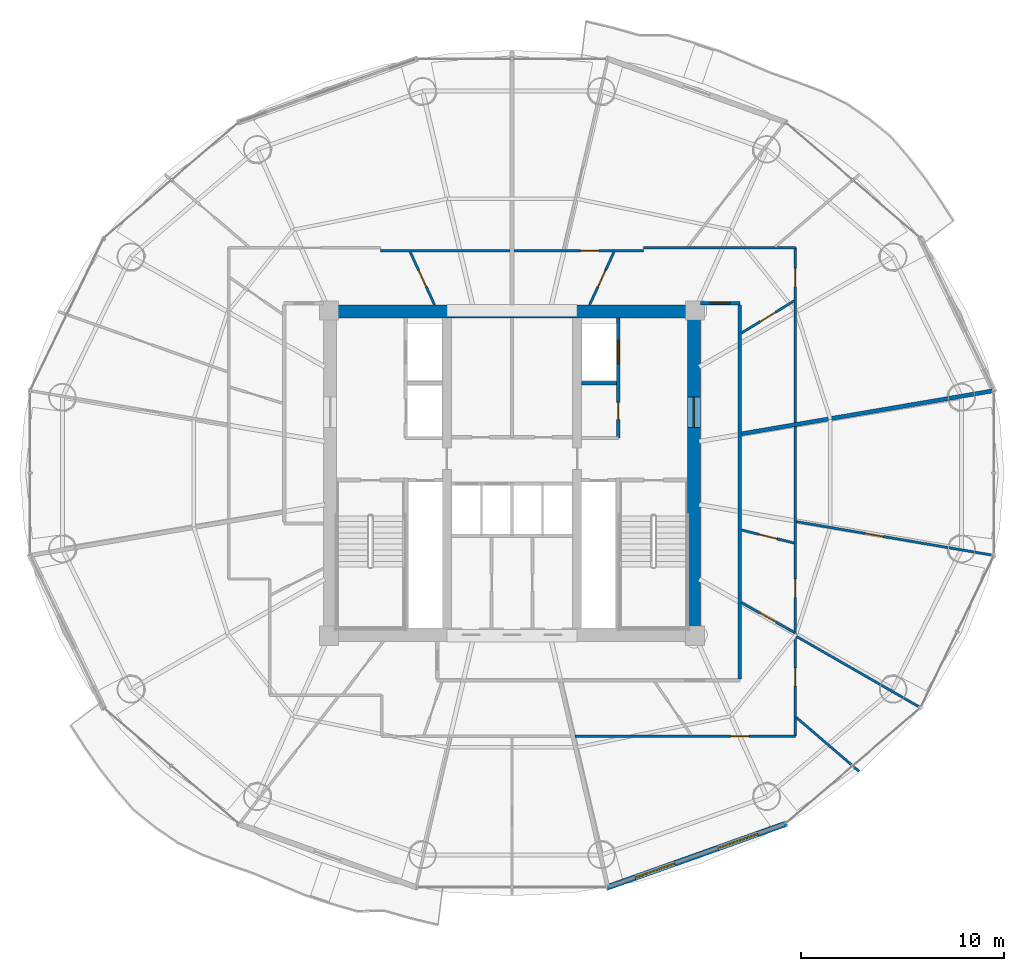
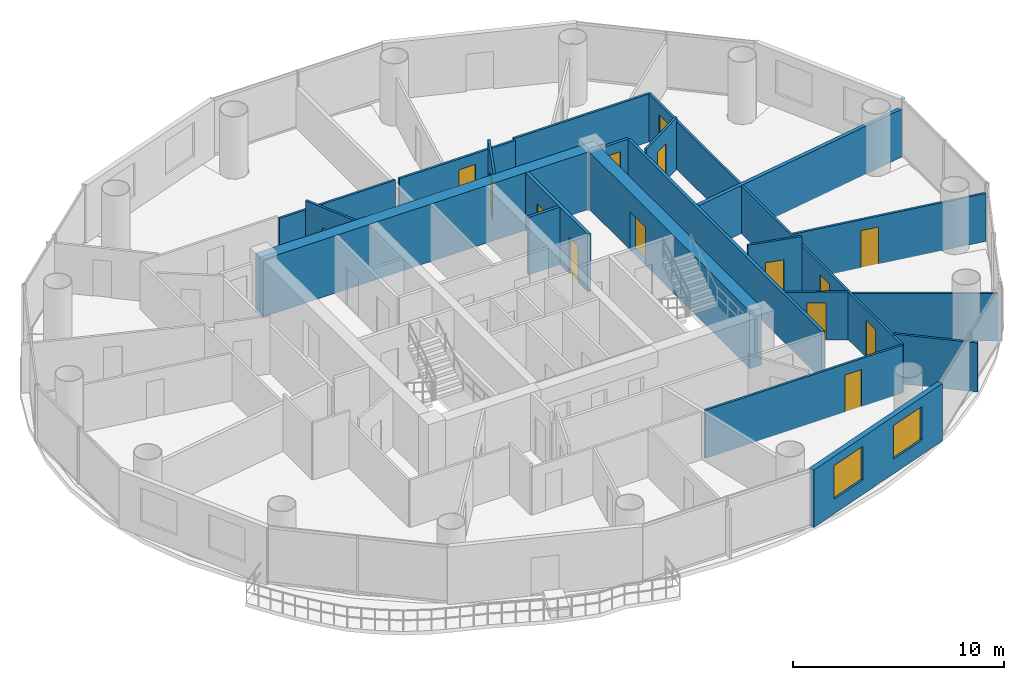
# One storey, part 22 of 26: 22 walls, 15 doors, 2 windows, 17 openings.
"""IFC4 building model written with IfcOpenShell, lengths in metres."""

import ifcopenshell
import ifcopenshell.guid

model = None  # the IFC model being written
_history = None  # IfcOwnerHistory: only IFC2X3 demands one
_inside = {}  # id of a spatial element -> (the spatial element, [elements in it])
_under = {}  # id of a project, library or spatial element -> (it, [spatial elements below it])
_declared = {}  # id of a project -> (the project, [libraries it declares])
_typed = {}  # id of a type object -> (the type object, [elements of that type])
_made_of = {}  # id of a material, layer set ... -> (it, [elements and type objects made of it])


def new_model(schema):
    """Start an empty IFC model of exactly this schema.

    Asked for "IFC4X3", IfcOpenShell would pick the latest addendum, in which some entities
    have other attributes; the version numbers below select the first issue.
    IFC2X3 requires an IfcOwnerHistory on every rooted entity: one is made here for all.
    """
    global model, _history
    if schema == "IFC4X3":
        model = ifcopenshell.file(schema_version=(4, 3, 0, 0))
    else:
        model = ifcopenshell.file(schema=schema)
    _inside.clear()
    _under.clear()
    _declared.clear()
    _typed.clear()
    _made_of.clear()
    _history = None
    if model.schema == "IFC2X3":
        org = make("IfcOrganization", Name="unknown")
        user = make(
            "IfcPersonAndOrganization",
            ThePerson=make("IfcPerson", FamilyName="unknown"),
            TheOrganization=org,
        )
        app = make(
            "IfcApplication",
            ApplicationDeveloper=org,
            Version="unknown",
            ApplicationFullName="unknown",
            ApplicationIdentifier="unknown",
        )
        _history = make(
            "IfcOwnerHistory",
            OwningUser=user,
            OwningApplication=app,
            ChangeAction="ADDED",
            CreationDate=0,
        )
    return model


def make(cls, **values):
    """One entity of the class cls with the attributes given. An attribute that is None is left unset."""
    return model.create_entity(
        cls, **{name: value for name, value in values.items() if value is not None}
    )


def rooted(cls, **values):
    """An entity with a GlobalId (a new one), such as an element, a storey or a relation."""
    return make(cls, GlobalId=ifcopenshell.guid.new(), OwnerHistory=_history, **values)


def si_unit(unit_type, name, prefix=None):
    """IfcSIUnit, for example si_unit("LENGTHUNIT", "METRE", prefix="MILLI")."""
    return make("IfcSIUnit", UnitType=unit_type, Prefix=prefix, Name=name)


def assignment(units):
    """IfcUnitAssignment: the units of a project."""
    return None if units is None else make("IfcUnitAssignment", Units=units)


def point(xyz):
    """IfcCartesianPoint."""
    return None if xyz is None else make("IfcCartesianPoint", Coordinates=xyz)


def direction(xyz):
    """IfcDirection."""
    return None if xyz is None else make("IfcDirection", DirectionRatios=xyz)


def frame(location, z_axis=None, x_axis=None):
    """IfcAxis2Placement3D, a coordinate frame: its origin and axes. An axis left out is left unset."""
    return make(
        "IfcAxis2Placement3D",
        Location=point(location),
        Axis=direction(z_axis),
        RefDirection=direction(x_axis),
    )


def frame_2d(location, x_axis=None):
    """IfcAxis2Placement2D, a coordinate frame in the plane: its origin and x axis."""
    return make(
        "IfcAxis2Placement2D", Location=point(location), RefDirection=direction(x_axis)
    )


def origin():
    """The frame at (0, 0, 0) with its axes left unset."""
    return frame((0.0, 0.0, 0.0))


def place(relative_to, where):
    """IfcLocalPlacement: puts the frame where relative to a parent placement (None: the world)."""
    return make(
        "IfcLocalPlacement", PlacementRelTo=relative_to, RelativePlacement=where
    )


def context(
    kind, dimensions, precision=None, world=None, true_north=None, identifier=None
):
    """IfcGeometricRepresentationContext, for example the 3D "Model" context."""
    return make(
        "IfcGeometricRepresentationContext",
        ContextIdentifier=identifier,
        ContextType=kind,
        CoordinateSpaceDimension=dimensions,
        Precision=precision,
        WorldCoordinateSystem=world,
        TrueNorth=true_north,
    )


def subcontext(parent, identifier, kind, view, scale=None):
    """IfcGeometricRepresentationSubContext, for example "Body" below "Model"."""
    return make(
        "IfcGeometricRepresentationSubContext",
        ContextIdentifier=identifier,
        ContextType=kind,
        ParentContext=parent,
        TargetScale=scale,
        TargetView=view,
    )


def project(units=None, contexts=None):
    """IfcProject with its units and contexts."""
    return rooted(
        "IfcProject",
        Name="project",
        RepresentationContexts=contexts,
        UnitsInContext=assignment(units),
    )


def spatial(cls, under=None, at=None, **own):
    """A site, building, storey or space (cls), placed at a placement, below another one or the project."""
    s = rooted(cls, ObjectPlacement=at, **own)
    if under is not None:
        _under.setdefault(under.id(), (under, []))[1].append(s)
    return s


def profile(cls, at=None, kind="AREA", **sizes):
    """A parametric profile (cls). Its sizes go by their IFC names, for example OverallWidth=200.0."""
    return make(cls, ProfileType=kind, Position=at, **sizes)


def rectangle(**sizes):
    """IfcRectangleProfileDef."""
    return profile("IfcRectangleProfileDef", **sizes)


def extrude(swept, where, along, depth):
    """IfcExtrudedAreaSolid: the profile swept, set in the frame where, extruded along a direction by depth."""
    return make(
        "IfcExtrudedAreaSolid",
        SweptArea=swept,
        Position=where,
        ExtrudedDirection=direction(along),
        Depth=depth,
    )


def shape(context_of_items, identifier, shape_type, items):
    """IfcShapeRepresentation: the items that make up one representation, for example the "Body"."""
    return make(
        "IfcShapeRepresentation",
        ContextOfItems=context_of_items,
        RepresentationIdentifier=identifier,
        RepresentationType=shape_type,
        Items=items,
    )


def source(mapping_origin, context_of_items, identifier, shape_type, items):
    """IfcRepresentationMap: a shape defined once, which mapped items show again and again."""
    return make(
        "IfcRepresentationMap",
        MappingOrigin=mapping_origin,
        MappedRepresentation=shape(context_of_items, identifier, shape_type, items),
    )


def transform(
    local_origin,
    x_axis=None,
    y_axis=None,
    z_axis=None,
    scale=None,
    scale2=None,
    scale3=None,
    uniform=True,
):
    """IfcCartesianTransformationOperator3D, or its non-uniform kind. x_axis, y_axis, z_axis: its Axis1, 2, 3."""
    if uniform:
        return make(
            "IfcCartesianTransformationOperator3D",
            Axis1=direction(x_axis),
            Axis2=direction(y_axis),
            LocalOrigin=point(local_origin),
            Scale=scale,
            Axis3=direction(z_axis),
        )
    return make(
        "IfcCartesianTransformationOperator3DnonUniform",
        Axis1=direction(x_axis),
        Axis2=direction(y_axis),
        LocalOrigin=point(local_origin),
        Scale=scale,
        Axis3=direction(z_axis),
        Scale2=scale2,
        Scale3=scale3,
    )


def mapped(mapping_source, mapping_target):
    """IfcMappedItem: shows the shape of a source again, moved by a transform."""
    return make(
        "IfcMappedItem", MappingSource=mapping_source, MappingTarget=mapping_target
    )


def material(Name=None, Category=None):
    """IfcMaterial."""
    return make("IfcMaterial", Name=Name, Category=Category)


def layer(
    of_material, thickness, ventilated=None, Name=None, Category=None, Priority=None
):
    """IfcMaterialLayer: one layer of a wall or slab, of a material (None: an air gap)."""
    return make(
        "IfcMaterialLayer",
        Material=of_material,
        LayerThickness=thickness,
        IsVentilated=ventilated,
        Name=Name,
        Category=Category,
        Priority=Priority,
    )


def layer_set(layers, Name=None):
    """IfcMaterialLayerSet."""
    return make("IfcMaterialLayerSet", MaterialLayers=layers, LayerSetName=Name)


def made_of(thing, what):
    """Note that an element or type object is made of a material, layer set ...; save() writes the relation."""
    if what is not None:
        _made_of.setdefault(what.id(), (what, []))[1].append(thing)
    return thing


def type_object(cls, material=None, **own):
    """A type object (cls), such as IfcWallType, which elements share."""
    return made_of(rooted(cls, **own), material)


def element(
    cls,
    number,
    at=None,
    inside=None,
    cuts=None,
    type_object=None,
    material=None,
    context=None,
    identifier="Body",
    shape_type=None,
    held_by="IfcProductDefinitionShape",
    body=None,
    shapes=None,
    **own,
):
    """One element of the class cls, such as IfcWall. Its Tag is "e" and its number.

    at: its placement. inside: the storey or other place that contains it. cuts: it is an
    opening in that element (IfcRelVoidsElement). A single representation is given by context,
    identifier, shape_type and body (its items); several are given by shapes. held_by: the class
    of the entity that holds the representations. save() writes the other relations.
    """
    e = rooted(cls, Tag="e%d" % number, ObjectPlacement=at, **own)
    if body is not None:
        shapes = [shape(context, identifier, shape_type, body)]
    if shapes is not None:
        e.Representation = make(held_by, Representations=shapes)
    if inside is not None:
        _inside.setdefault(inside.id(), (inside, []))[1].append(e)
    if cuts is not None:
        rooted(
            "IfcRelVoidsElement", RelatingBuildingElement=cuts, RelatedOpeningElement=e
        )
    if type_object is not None:
        _typed.setdefault(type_object.id(), (type_object, []))[1].append(e)
    return made_of(e, material)


def fill(opening, filler):
    """IfcRelFillsElement: the door or window that sits in an opening."""
    return rooted(
        "IfcRelFillsElement",
        RelatingOpeningElement=opening,
        RelatedBuildingElement=filler,
    )


def aggregate(whole, parts):
    """IfcRelAggregates: a whole, such as a stair, and the parts it consists of."""
    return rooted("IfcRelAggregates", RelatingObject=whole, RelatedObjects=parts)


def save(model, path):
    """Write the relations noted so far, then the file.

    IfcRelAggregates (storeys below a building ...), IfcRelContainedInSpatialStructure (elements
    in a storey), IfcRelDefinesByType, IfcRelAssociatesMaterial and IfcRelDeclares: one each for
    every whole, place, type object, material and project.
    """
    for whole, parts in _under.values():
        aggregate(whole, parts)
    for where, things in _inside.values():
        rooted(
            "IfcRelContainedInSpatialStructure",
            RelatedElements=things,
            RelatingStructure=where,
        )
    for kind, things in _typed.values():
        rooted("IfcRelDefinesByType", RelatedObjects=things, RelatingType=kind)
    for what, things in _made_of.values():
        rooted("IfcRelAssociatesMaterial", RelatedObjects=things, RelatingMaterial=what)
    for by, libraries in _declared.values():
        rooted("IfcRelDeclares", RelatingContext=by, RelatedDefinitions=libraries)
    model.write(path)


model = new_model("IFC4")

# Units and contexts
model_context = context("Model", 3, precision=1e-05, world=origin(), true_north=direction((-0.2419218956, 0.970295726276)))
body_context = subcontext(model_context, "Body", "Model", "MODEL_VIEW")
ifc_project = project(units=[si_unit("LENGTHUNIT", "METRE"), si_unit("AREAUNIT", "SQUARE_METRE"), si_unit("VOLUMEUNIT", "CUBIC_METRE"), si_unit("PLANEANGLEUNIT", "RADIAN"), si_unit("MASSUNIT", "GRAM", prefix="KILO")], contexts=[model_context])

# Site, building, storey
site_placement = place(None, origin())
site = spatial("IfcSite", under=ifc_project, at=site_placement, CompositionType="ELEMENT")
building_placement = place(site_placement, origin())
building = spatial("IfcBuilding", under=site, at=building_placement, Name="Cobrevalo Terracotta Tower", CompositionType="ELEMENT")
storey_placement = place(building_placement, frame((0.0, 0.0, 135.39990234375)))
storey = spatial("IfcBuildingStorey", under=building, at=storey_placement, Name="L35", CompositionType="ELEMENT", Elevation=135.39990234375)

# Wall
ifc_material_1 = material(Name="Concrete C55", Category="concrete")
ifc_layer_1 = layer(ifc_material_1, 0.64990234375)
ifc_layer_set_1 = layer_set([ifc_layer_1], Name="Concrete C55")
wall_type_1 = type_object("IfcWallType", Name="Core shear wall 650 mm Concrete C55", PredefinedType="SHEAR", material=ifc_layer_set_1)
wall_1_placement = place(storey_placement, frame((28.72509765625, 34.75, 0.0), z_axis=(0.0, 0.0, 1.0), x_axis=(1.0, 0.0, 0.0)))
element("IfcWall", 1, at=wall_1_placement, inside=storey, type_object=wall_type_1, Name="L35 north core shear wall", PredefinedType="SHEAR", context=body_context, shape_type="SweptSolid", body=[
    extrude(rectangle(XDim=18.5498046875, YDim=0.64990234375, at=frame_2d((9.27490234375, 0.0))), origin(), (0.0, 0.0, 1.0), 3.330078125),
])

# Wall, opening, door
wall_2_placement = place(storey_placement, frame((46.949951171875, 19.175048828125, 0.0), z_axis=(0.0, 0.0, 1.0), x_axis=(0.0, 1.0, 0.0)))
wall_2 = element("IfcWall", 2, at=wall_2_placement, inside=storey, type_object=wall_type_1, Name="L35 east core shear wall", PredefinedType="SHEAR", context=body_context, shape_type="SweptSolid", body=[
    extrude(rectangle(XDim=15.25, YDim=0.64990234375, at=frame_2d((7.625, 0.0))), origin(), (0.0, 0.0, 1.0), 3.330078125),
])
opening_1_placement = place(wall_2_placement, frame((9.875, 0.0, 0.0)))
opening_1 = element("IfcOpeningElement", 3, at=opening_1_placement, cuts=wall_2, Name="Opening ID-14", PredefinedType="OPENING", context=body_context, shape_type="SweptSolid", body=[
    extrude(rectangle(XDim=1.5, YDim=2.199951171875, at=frame_2d((0.75, 1.10009765625))), frame((0.0, 0.3349609375, 0.0), z_axis=(0.0, -1.0, 0.0), x_axis=(1.0, 0.0, 0.0)), (0.0, 0.0, 1.0), 0.669921875),
])
ifc_material_2 = material(Name="Galvanized fire-rated steel", Category="steel")
door_type_1 = type_object("IfcDoorType", Name="Core cross-lobby double fire door 1500x2200 EI 90", OperationType="NOTDEFINED", PredefinedType="DOOR", material=ifc_material_2)
shared_shape_1 = source(origin(), body_context, "Body", "SweptSolid", [
    extrude(rectangle(XDim=1.5, YDim=2.199951171875, at=frame_2d((0.75, 1.10009765625))), frame((0.0, 0.02490234375, 0.0), z_axis=(0.0, -1.0, 0.0), x_axis=(1.0, 0.0, 0.0)), (0.0, 0.0, 1.0), 0.050048828125),
])
door_1_placement = place(opening_1_placement, frame((1.5, 0.0, 0.0), z_axis=(0.0, 0.0, 1.0), x_axis=(-1.0, 0.0, 0.0)))
door_1 = element("IfcDoor", 4, at=door_1_placement, inside=storey, type_object=door_type_1, Name="L35 east firefighting lobby entrance door", OperationType="DOUBLE_DOOR_SINGLE_SWING", OverallHeight=2.199951171875, OverallWidth=1.5, PredefinedType="DOOR", context=body_context, shape_type="MappedRepresentation", body=[
    mapped(shared_shape_1, transform((0.0, 0.0, 0.0), scale=1.0)),
])
fill(opening_1, door_1)

# Walls
ifc_material_3 = material(Name="Gypsum board on steel stud", Category="steel")
ifc_layer_2 = layer(ifc_material_3, 0.159912109375)
ifc_layer_set_2 = layer_set([ifc_layer_2], Name="Gypsum board on steel stud")
wall_type_2 = type_object("IfcWallType", Name="Fire-rated corridor acoustic partition wall 160 mm", PredefinedType="PARTITIONING", material=ifc_layer_set_2)
wall_3_placement = place(storey_placement, frame((41.425048828125, 31.219970703125, 0.0), z_axis=(0.0, 0.0, 1.0), x_axis=(1.0, 0.0, 0.0)))
element("IfcWall", 5, at=wall_3_placement, inside=storey, type_object=wall_type_2, Name="L35 interior partition IW-L35-FF2-M", PredefinedType="PARTITIONING", context=body_context, shape_type="SweptSolid", body=[
    extrude(rectangle(XDim=1.71484375, YDim=0.159912109375, at=frame_2d((0.857421875, 0.0))), origin(), (0.0, 0.0, 1.0), 3.330078125),
])
wall_4_placement = place(storey_placement, frame((49.205078125, 16.675048828125, 0.0), z_axis=(0.0, 0.0, 1.0), x_axis=(0.0, 1.0, 0.0)))
element("IfcWall", 6, at=wall_4_placement, inside=storey, type_object=wall_type_2, Name="L35 interior partition IW-L35-COR-E", PredefinedType="PARTITIONING", context=body_context, shape_type="SweptSolid", body=[
    extrude(rectangle(XDim=18.39990234375, YDim=0.159912109375, at=frame_2d((9.199951171875, 0.0))), origin(), (0.0, 0.0, 1.0), 2.776123046875),
])

# Wall, opening, door
wall_5_placement = place(storey_placement, frame((47.27490234375, 35.155029296875, 0.0), z_axis=(0.0, 0.0, 1.0), x_axis=(1.0, 0.0, 0.0)))
wall_5 = element("IfcWall", 7, at=wall_5_placement, inside=storey, type_object=wall_type_2, Name="L35 interior partition IW-L35-COR-EN-CAP", PredefinedType="PARTITIONING", context=body_context, shape_type="SweptSolid", body=[
    extrude(rectangle(XDim=1.93017578125, YDim=0.159912109375, at=frame_2d((0.965087890625, 0.0))), origin(), (0.0, 0.0, 1.0), 2.776123046875),
])
opening_2_placement = place(wall_5_placement, frame((0.47509765625, 0.0, 0.0)))
opening_2 = element("IfcOpeningElement", 8, at=opening_2_placement, cuts=wall_5, Name="Opening ID-05", PredefinedType="OPENING", context=body_context, shape_type="SweptSolid", body=[
    extrude(rectangle(XDim=0.97998046875, YDim=2.199951171875, at=frame_2d((0.489990234375, 1.10009765625))), frame((0.0, 0.08984375, 0.0), z_axis=(0.0, -1.0, 0.0), x_axis=(1.0, 0.0, 0.0)), (0.0, 0.0, 1.0), 0.179931640625),
])
ifc_material_4 = material(Name="Solid hardwood timber", Category="wood")
door_type_2 = type_object("IfcDoorType", Name="Residence entrance fire-rated acoustic timber door 980x2200 EI 60", OperationType="NOTDEFINED", PredefinedType="DOOR", material=ifc_material_4)
shared_shape_2 = source(origin(), body_context, "Body", "SweptSolid", [
    extrude(rectangle(XDim=0.97998046875, YDim=2.199951171875, at=frame_2d((0.489990234375, 1.10009765625))), frame((0.0, 0.02490234375, 0.0), z_axis=(0.0, -1.0, 0.0), x_axis=(1.0, 0.0, 0.0)), (0.0, 0.0, 1.0), 0.050048828125),
])
door_2_placement = place(opening_2_placement, origin())
door_2 = element("IfcDoor", 9, at=door_2_placement, inside=storey, type_object=door_type_2, Name="Flat L35A fire-rated apartment entrance door", OperationType="SINGLE_SWING_LEFT", OverallHeight=2.199951171875, OverallWidth=0.97998046875, PredefinedType="DOOR", context=body_context, shape_type="MappedRepresentation", body=[
    mapped(shared_shape_2, transform((0.0, 0.0, 0.0), scale=1.0)),
])
fill(opening_2, door_2)

# Wall, openings, doors
ifc_layer_3 = layer(ifc_material_3, 0.179931640625)
ifc_layer_set_3 = layer_set([ifc_layer_3], Name="Gypsum board on steel stud")
wall_type_3 = type_object("IfcWallType", Name="Fire-rated shaft & lobby acoustic partition wall 180 mm", PredefinedType="PARTITIONING", material=ifc_layer_set_3)
wall_6_placement = place(storey_placement, frame((43.22998046875, 28.52001953125, 0.0), z_axis=(0.0, 0.0, 1.0), x_axis=(0.0, 1.0, 0.0)))
wall_6 = element("IfcWall", 10, at=wall_6_placement, inside=storey, type_object=wall_type_3, Name="L35 interior partition IW-L35-FF2-E", PredefinedType="PARTITIONING", context=body_context, shape_type="SweptSolid", body=[
    extrude(rectangle(XDim=5.905029296875, YDim=0.179931640625, at=frame_2d((2.95263671875, 0.0))), origin(), (0.0, 0.0, 1.0), 3.330078125),
])
opening_3_placement = place(wall_6_placement, frame((0.905029296875, 0.0, 0.0)))
opening_3 = element("IfcOpeningElement", 11, at=opening_3_placement, cuts=wall_6, Name="Opening ID-22", PredefinedType="OPENING", context=body_context, shape_type="SweptSolid", body=[
    extrude(rectangle(XDim=0.85009765625, YDim=2.10009765625, at=frame_2d((0.425048828125, 1.050048828125))), frame((0.0, 0.10009765625, 0.0), z_axis=(0.0, -1.0, 0.0), x_axis=(1.0, 0.0, 0.0)), (0.0, 0.0, 1.0), 0.199951171875),
])
opening_4_placement = place(wall_6_placement, frame((3.655029296875, 0.0, 0.0)))
opening_4 = element("IfcOpeningElement", 12, at=opening_4_placement, cuts=wall_6, Name="Opening LD-02", PredefinedType="OPENING", context=body_context, shape_type="SweptSolid", body=[
    extrude(rectangle(XDim=1.14990234375, YDim=2.199951171875, at=frame_2d((0.574951171875, 1.10009765625))), frame((0.0, 0.10009765625, 0.0), z_axis=(0.0, -1.0, 0.0), x_axis=(1.0, 0.0, 0.0)), (0.0, 0.0, 1.0), 0.199951171875),
])
ifc_material_5 = material(Name="Powder-coated steel", Category="steel")
door_type_3 = type_object("IfcDoorType", Name="Riser shaft & meter closet fire access door 850x2100 EI 60", OperationType="NOTDEFINED", PredefinedType="DOOR", material=ifc_material_5)
shared_shape_3 = source(origin(), body_context, "Body", "SweptSolid", [
    extrude(rectangle(XDim=0.85009765625, YDim=2.10009765625, at=frame_2d((0.425048828125, 1.050048828125))), frame((0.0, 0.02490234375, 0.0), z_axis=(0.0, -1.0, 0.0), x_axis=(1.0, 0.0, 0.0)), (0.0, 0.0, 1.0), 0.050048828125),
])
door_3_placement = place(opening_3_placement, frame((0.85009765625, 0.0, 0.0), z_axis=(0.0, 0.0, 1.0), x_axis=(-1.0, 0.0, 0.0)))
door_3 = element("IfcDoor", 13, at=door_3_placement, inside=storey, type_object=door_type_3, Name="L35 housekeeping store door", OperationType="SINGLE_SWING_RIGHT", OverallHeight=2.10009765625, OverallWidth=0.85009765625, PredefinedType="DOOR", context=body_context, shape_type="MappedRepresentation", body=[
    mapped(shared_shape_3, transform((0.0, 0.0, 0.0), scale=1.0)),
])
fill(opening_3, door_3)
ifc_material_6 = material(Name="Brushed stainless steel", Category="steel")
door_type_4 = type_object("IfcDoorType", Name="Firefighting lift landing bi-parting sliding door 1150x2200 EI 120", OperationType="DOUBLE_DOOR_SLIDING", PredefinedType="DOOR", material=ifc_material_6)
shared_shape_4 = source(origin(), body_context, "Body", "SweptSolid", [
    extrude(rectangle(XDim=1.14990234375, YDim=2.199951171875, at=frame_2d((0.574951171875, 1.10009765625))), frame((0.0, 0.02490234375, 0.0), z_axis=(0.0, -1.0, 0.0), x_axis=(1.0, 0.0, 0.0)), (0.0, 0.0, 1.0), 0.050048828125),
])
door_4_placement = place(opening_4_placement, origin())
door_4 = element("IfcDoor", 14, at=door_4_placement, inside=storey, type_object=door_type_4, Name="L35 lift landing door FF-2", OperationType="DOUBLE_DOOR_SLIDING", OverallHeight=2.199951171875, OverallWidth=1.14990234375, PredefinedType="DOOR", context=body_context, shape_type="MappedRepresentation", body=[
    mapped(shared_shape_4, transform((0.0, 0.0, 0.0), scale=1.0)),
])
fill(opening_4, door_4)

# Wall
ifc_material_7 = material(Name="Autoclaved aerated concrete block", Category="concrete")
ifc_layer_4 = layer(ifc_material_7, 0.199951171875)
ifc_layer_set_4 = layer_set([ifc_layer_4], Name="Autoclaved aerated concrete block")
wall_type_4 = type_object("IfcWallType", Name="Fire-rated stair, shaft & demising masonry wall 200 mm", PredefinedType="PARTITIONING", material=ifc_layer_set_4)
wall_7_placement = place(storey_placement, frame((49.286865234375, 28.729736328125, 0.0), z_axis=(0.0, 0.0, 1.0), x_axis=(0.985698993845, 0.168515558725, 0.0)))
element("IfcWall", 15, at=wall_7_placement, inside=storey, type_object=wall_type_4, Name="L35 interior partition IW-L35-DEM-1", PredefinedType="PARTITIONING", context=body_context, shape_type="SweptSolid", body=[
    extrude(rectangle(XDim=12.517333984375, YDim=0.199951171875, at=frame_2d((6.2587890625, 0.0))), origin(), (0.0, 0.0, 1.0), 2.776123046875),
])

# Wall, openings, windows
ifc_layer_5 = layer(ifc_material_7, 0.280029296875)
ifc_layer_set_5 = layer_set([ifc_layer_5], Name="Autoclaved aerated concrete block")
wall_type_5 = type_object("IfcWallType", Name="Insulated tower spandrel & pier wall 280 mm with terracotta rainscreen", PredefinedType="SOLIDWALL", material=ifc_layer_set_5)
wall_8_placement = place(storey_placement, frame((42.639892578125, 6.40234375, 0.0), z_axis=(0.0, 0.0, 1.0), x_axis=(0.942103604331, 0.335321932934, 0.0)))
wall_8 = element("IfcWall", 16, at=wall_8_placement, inside=storey, type_object=wall_type_5, Name="L35 terracotta rainscreen pier wall S13", PredefinedType="SOLIDWALL", context=body_context, shape_type="SweptSolid", body=[
    extrude(rectangle(XDim=9.408203125, YDim=0.280029296875, at=frame_2d((4.7041015625, 0.0))), origin(), (0.0, 0.0, 1.0), 3.330078125),
])
opening_5_placement = place(wall_8_placement, frame((1.490234375, 0.0, 0.85009765625)))
opening_5 = element("IfcOpeningElement", 17, at=opening_5_placement, cuts=wall_8, Name="Opening WN-10", PredefinedType="OPENING", context=body_context, shape_type="SweptSolid", body=[
    extrude(rectangle(XDim=2.10009765625, YDim=1.949951171875, at=frame_2d((1.050048828125, 0.97509765625))), frame((0.0, 0.14990234375, 0.0), z_axis=(0.0, -1.0, 0.0), x_axis=(1.0, 0.0, 0.0)), (0.0, 0.0, 1.0), 0.300048828125),
])
opening_6_placement = place(wall_8_placement, frame((5.818115234375, 0.0, 0.85009765625)))
opening_6 = element("IfcOpeningElement", 18, at=opening_6_placement, cuts=wall_8, Name="Opening WN-10", PredefinedType="OPENING", context=body_context, shape_type="SweptSolid", body=[
    extrude(rectangle(XDim=2.10009765625, YDim=1.949951171875, at=frame_2d((1.050048828125, 0.97509765625))), frame((0.0, 0.14990234375, 0.0), z_axis=(0.0, -1.0, 0.0), x_axis=(1.0, 0.0, 0.0)), (0.0, 0.0, 1.0), 0.300048828125),
])
ifc_material_8 = material(Name="Solar-control low-E double glazing", Category="glass")
window_type = type_object("IfcWindowType", Name="Wide panoramic low-E aluminium window 2100x1950", PartitioningType="SINGLE_PANEL", PredefinedType="WINDOW", material=ifc_material_8)
shared_shape_5 = source(origin(), body_context, "Body", "SweptSolid", [
    extrude(rectangle(XDim=2.10009765625, YDim=1.949951171875, at=frame_2d((1.050048828125, 0.97509765625))), frame((0.0, 0.030029296875, 0.0), z_axis=(0.0, -1.0, 0.0), x_axis=(1.0, 0.0, 0.0)), (0.0, 0.0, 1.0), 0.06005859375),
])
window_1_placement = place(opening_5_placement, origin())
window_1 = element("IfcWindow", 19, at=window_1_placement, inside=storey, type_object=window_type, Name="L35 suite window S13A", OverallHeight=1.949951171875, OverallWidth=2.10009765625, PartitioningType="SINGLE_PANEL", PredefinedType="WINDOW", context=body_context, shape_type="MappedRepresentation", body=[
    mapped(shared_shape_5, transform((0.0, 0.0, 0.0), scale=1.0)),
])
fill(opening_5, window_1)
window_2_placement = place(opening_6_placement, origin())
window_2 = element("IfcWindow", 20, at=window_2_placement, inside=storey, type_object=window_type, Name="L35 suite window S13B", OverallHeight=1.949951171875, OverallWidth=2.10009765625, PartitioningType="SINGLE_PANEL", PredefinedType="WINDOW", context=body_context, shape_type="MappedRepresentation", body=[
    mapped(shared_shape_5, transform((0.0, 0.0, 0.0), scale=1.0)),
])
fill(opening_6, window_2)

# Wall, opening, door
ifc_layer_6 = layer(ifc_material_3, 0.1201171875)
ifc_layer_set_6 = layer_set([ifc_layer_6], Name="Gypsum board on steel stud")
wall_type_6 = type_object("IfcWallType", Name="Residential internal acoustic stud partition 120 mm", PredefinedType="PARTITIONING", material=ifc_layer_set_6)
wall_9_placement = place(storey_placement, frame((38.10205078125, 37.72509765625, 0.0), z_axis=(0.0, 0.0, 1.0), x_axis=(1.0, 0.0, 0.0)))
wall_9 = element("IfcWall", 21, at=wall_9_placement, inside=storey, type_object=wall_type_6, Name="L35 interior partition IW-L35-U1-RING0_0", PredefinedType="PARTITIONING", context=body_context, shape_type="SweptSolid", body=[
    extrude(rectangle(XDim=6.363037109375, YDim=0.1201171875, at=frame_2d((3.181640625, 0.0))), origin(), (0.0, 0.0, 1.0), 2.776123046875),
])
opening_7_placement = place(wall_9_placement, frame((3.272216796875, 0.0, 0.0)))
opening_7 = element("IfcOpeningElement", 22, at=opening_7_placement, cuts=wall_9, Name="Opening ID-12", PredefinedType="OPENING", context=body_context, shape_type="SweptSolid", body=[
    extrude(rectangle(XDim=0.89990234375, YDim=2.14990234375, at=frame_2d((0.449951171875, 1.074951171875))), frame((0.0, 0.070068359375, 0.0), z_axis=(0.0, -1.0, 0.0), x_axis=(1.0, 0.0, 0.0)), (0.0, 0.0, 1.0), 0.14013671875),
])
ifc_material_9 = material(Name="Engineered timber", Category="wood")
door_type_5 = type_object("IfcDoorType", Name="Internal residence & suite timber door 900x2150", OperationType="NOTDEFINED", PredefinedType="DOOR", material=ifc_material_9)
shared_shape_6 = source(origin(), body_context, "Body", "SweptSolid", [
    extrude(rectangle(XDim=0.89990234375, YDim=2.14990234375, at=frame_2d((0.449951171875, 1.074951171875))), frame((0.0, 0.02490234375, 0.0), z_axis=(0.0, -1.0, 0.0), x_axis=(1.0, 0.0, 0.0)), (0.0, 0.0, 1.0), 0.050048828125),
])
door_5_placement = place(opening_7_placement, origin())
door_5 = element("IfcDoor", 23, at=door_5_placement, inside=storey, type_object=door_type_5, Name="Flat L35A Penthouse Family Lounge internal door", OperationType="SINGLE_SWING_LEFT", OverallHeight=2.14990234375, OverallWidth=0.89990234375, PredefinedType="DOOR", context=body_context, shape_type="MappedRepresentation", body=[
    mapped(shared_shape_6, transform((0.0, 0.0, 0.0), scale=1.0)),
])
fill(opening_7, door_5)

# Wall
wall_10_placement = place(storey_placement, frame((44.465087890625, 37.885009765625, 0.0), z_axis=(0.0, 0.0, 1.0), x_axis=(1.0, 0.0, 0.0)))
element("IfcWall", 24, at=wall_10_placement, inside=storey, type_object=wall_type_6, Name="L35 interior partition IW-L35-U1-RING2_0", PredefinedType="PARTITIONING", context=body_context, shape_type="SweptSolid", body=[
    extrude(rectangle(XDim=7.469970703125, YDim=0.1201171875, at=frame_2d((3.73486328125, 0.0))), origin(), (0.0, 0.0, 1.0), 2.776123046875),
])

# Wall, opening, door
wall_11_placement = place(storey_placement, frame((51.93505859375, 37.885009765625, 0.0), z_axis=(0.0, 0.0, 1.0), x_axis=(0.0, -1.0, 0.0)))
wall_11 = element("IfcWall", 25, at=wall_11_placement, inside=storey, type_object=wall_type_6, Name="L35 interior partition IW-L35-U1-RING3_0", PredefinedType="PARTITIONING", context=body_context, shape_type="SweptSolid", body=[
    extrude(rectangle(XDim=8.6005859375, YDim=0.1201171875, at=frame_2d((4.30029296875, 0.0))), origin(), (0.0, 0.0, 1.0), 2.776123046875),
])
opening_8_placement = place(wall_11_placement, frame((1.021240234375, 0.0, 0.0)))
opening_8 = element("IfcOpeningElement", 26, at=opening_8_placement, cuts=wall_11, Name="Opening ID-12", PredefinedType="OPENING", context=body_context, shape_type="SweptSolid", body=[
    extrude(rectangle(XDim=0.89990234375, YDim=2.14990234375, at=frame_2d((0.449951171875, 1.074951171875))), frame((0.0, 0.070068359375, 0.0), z_axis=(0.0, -1.0, 0.0), x_axis=(1.0, 0.0, 0.0)), (0.0, 0.0, 1.0), 0.14013671875),
])
door_6_placement = place(opening_8_placement, origin())
door_6 = element("IfcDoor", 27, at=door_6_placement, inside=storey, type_object=door_type_5, Name="Flat L35A Living and Dining Room internal door", OperationType="SINGLE_SWING_LEFT", OverallHeight=2.14990234375, OverallWidth=0.89990234375, PredefinedType="DOOR", context=body_context, shape_type="MappedRepresentation", body=[
    mapped(shared_shape_6, transform((0.0, 0.0, 0.0), scale=1.0)),
])
fill(opening_8, door_6)

wall_12_placement = place(storey_placement, frame((49.28662109375, 33.6875, 0.0), z_axis=(0.0, 0.0, 1.0), x_axis=(0.853628993111, 0.520881504874, 0.0)))
wall_12 = element("IfcWall", 28, at=wall_12_placement, inside=storey, type_object=wall_type_6, Name="L35 interior partition IW-L35-U1-IRAD1", PredefinedType="PARTITIONING", context=body_context, shape_type="SweptSolid", body=[
    extrude(rectangle(XDim=3.04052734375, YDim=0.1201171875, at=frame_2d((1.520263671875, 0.0))), origin(), (0.0, 0.0, 1.0), 3.005126953125),
])
opening_9_placement = place(wall_12_placement, frame((1.090087890625, 0.0, 0.0)))
opening_9 = element("IfcOpeningElement", 29, at=opening_9_placement, cuts=wall_12, Name="Opening ID-19", PredefinedType="OPENING", context=body_context, shape_type="SweptSolid", body=[
    extrude(rectangle(XDim=0.860107421875, YDim=2.14990234375, at=frame_2d((0.43017578125, 1.074951171875))), frame((0.0, 0.070068359375, 0.0), z_axis=(0.0, -1.0, 0.0), x_axis=(1.0, 0.0, 0.0)), (0.0, 0.0, 1.0), 0.14013671875),
])
ifc_material_10 = material(Name="Moisture-sealed timber", Category="wood")
door_type_6 = type_object("IfcDoorType", Name="Suite bathroom internal timber door 860x2150", OperationType="NOTDEFINED", PredefinedType="DOOR", material=ifc_material_10)
shared_shape_7 = source(origin(), body_context, "Body", "SweptSolid", [
    extrude(rectangle(XDim=0.860107421875, YDim=2.14990234375, at=frame_2d((0.43017578125, 1.074951171875))), frame((0.0, 0.02490234375, 0.0), z_axis=(0.0, -1.0, 0.0), x_axis=(1.0, 0.0, 0.0)), (0.0, 0.0, 1.0), 0.050048828125),
])
door_7_placement = place(opening_9_placement, frame((0.860107421875, 0.0, 0.0), z_axis=(0.0, 0.0, 1.0), x_axis=(-1.0, 0.0, 0.0)))
door_7 = element("IfcDoor", 30, at=door_7_placement, inside=storey, type_object=door_type_6, Name="Flat L35A Primary Bathroom internal door", OperationType="SINGLE_SWING_RIGHT", OverallHeight=2.14990234375, OverallWidth=0.860107421875, PredefinedType="DOOR", context=body_context, shape_type="MappedRepresentation", body=[
    mapped(shared_shape_7, transform((0.0, 0.0, 0.0), scale=1.0)),
])
fill(opening_9, door_7)

wall_13_placement = place(storey_placement, frame((41.8173828125, 35.074951171875, 0.0), z_axis=(0.0, 0.0, 1.0), x_axis=(0.418890148101, 0.908036917655, 0.0)))
wall_13 = element("IfcWall", 31, at=wall_13_placement, inside=storey, type_object=wall_type_6, Name="L35 interior partition IW-L35-U1-IRAD2", PredefinedType="PARTITIONING", context=body_context, shape_type="SweptSolid", body=[
    extrude(rectangle(XDim=2.8564453125, YDim=0.1201171875, at=frame_2d((1.42822265625, 0.0))), origin(), (0.0, 0.0, 1.0), 3.330078125),
])
opening_10_placement = place(wall_13_placement, frame((0.978271484375, 0.0, 0.0)))
opening_10 = element("IfcOpeningElement", 32, at=opening_10_placement, cuts=wall_13, Name="Opening ID-12", PredefinedType="OPENING", context=body_context, shape_type="SweptSolid", body=[
    extrude(rectangle(XDim=0.89990234375, YDim=2.14990234375, at=frame_2d((0.449951171875, 1.074951171875))), frame((0.0, 0.070068359375, 0.0), z_axis=(0.0, -1.0, 0.0), x_axis=(1.0, 0.0, 0.0)), (0.0, 0.0, 1.0), 0.14013671875),
])
door_8_placement = place(opening_10_placement, origin())
door_8 = element("IfcDoor", 33, at=door_8_placement, inside=storey, type_object=door_type_5, Name="Flat L35A Kitchen internal door", OperationType="SINGLE_SWING_RIGHT", OverallHeight=2.14990234375, OverallWidth=0.89990234375, PredefinedType="DOOR", context=body_context, shape_type="MappedRepresentation", body=[
    mapped(shared_shape_6, transform((0.0, 0.0, 0.0), scale=1.0)),
])
fill(opening_10, door_8)

# Wall
wall_14_placement = place(storey_placement, frame((31.534912109375, 37.72509765625, 0.0), z_axis=(0.0, 0.0, 1.0), x_axis=(1.0, 0.0, 0.0)))
element("IfcWall", 34, at=wall_14_placement, inside=storey, type_object=wall_type_6, Name="L35 interior partition IW-L35-U2-RING3_0", PredefinedType="PARTITIONING", context=body_context, shape_type="SweptSolid", body=[
    extrude(rectangle(XDim=6.363037109375, YDim=0.1201171875, at=frame_2d((3.181640625, 0.0))), origin(), (0.0, 0.0, 1.0), 2.776123046875),
])

# Wall, opening, door
wall_15_placement = place(storey_placement, frame((34.190185546875, 35.074951171875, 0.0), z_axis=(0.0, 0.0, 1.0), x_axis=(-0.418255585009, 0.908329381672, 0.0)))
wall_15 = element("IfcWall", 35, at=wall_15_placement, inside=storey, type_object=wall_type_6, Name="L35 interior partition IW-L35-U2-IRAD1", PredefinedType="PARTITIONING", context=body_context, shape_type="SweptSolid", body=[
    extrude(rectangle(XDim=2.85546875, YDim=0.1201171875, at=frame_2d((1.427734375, 0.0))), origin(), (0.0, 0.0, 1.0), 3.330078125),
])
opening_11_placement = place(wall_15_placement, frame((0.997802734375, 0.0, 0.0)))
opening_11 = element("IfcOpeningElement", 36, at=opening_11_placement, cuts=wall_15, Name="Opening ID-19", PredefinedType="OPENING", context=body_context, shape_type="SweptSolid", body=[
    extrude(rectangle(XDim=0.860107421875, YDim=2.14990234375, at=frame_2d((0.43017578125, 1.074951171875))), frame((0.0, 0.070068359375, 0.0), z_axis=(0.0, -1.0, 0.0), x_axis=(1.0, 0.0, 0.0)), (0.0, 0.0, 1.0), 0.14013671875),
])
door_9_placement = place(opening_11_placement, frame((0.860107421875, 0.0, 0.0), z_axis=(0.0, 0.0, 1.0), x_axis=(-1.0, 0.0, 0.0)))
door_9 = element("IfcDoor", 37, at=door_9_placement, inside=storey, type_object=door_type_6, Name="Flat L35B Primary Bathroom internal door", OperationType="SINGLE_SWING_LEFT", OverallHeight=2.14990234375, OverallWidth=0.860107421875, PredefinedType="DOOR", context=body_context, shape_type="MappedRepresentation", body=[
    mapped(shared_shape_7, transform((0.0, 0.0, 0.0), scale=1.0)),
])
fill(opening_11, door_9)

# Wall, openings, doors
wall_16_placement = place(storey_placement, frame((51.93505859375, 29.080322265625, 0.0), z_axis=(0.0, 0.0, 1.0), x_axis=(0.0, -1.0, 0.0)))
wall_16 = element("IfcWall", 38, at=wall_16_placement, inside=storey, type_object=wall_type_6, Name="L35 interior partition IW-L35-U4-RING0_0", PredefinedType="PARTITIONING", context=body_context, shape_type="SweptSolid", body=[
    extrude(rectangle(XDim=15.21533203125, YDim=0.1201171875, at=frame_2d((7.607666015625, 0.0))), origin(), (0.0, 0.0, 1.0), 2.776123046875),
])
opening_12_placement = place(wall_16_placement, frame((11.85888671875, 0.0, 0.0)))
opening_12 = element("IfcOpeningElement", 39, at=opening_12_placement, cuts=wall_16, Name="Opening ID-12", PredefinedType="OPENING", context=body_context, shape_type="SweptSolid", body=[
    extrude(rectangle(XDim=0.89990234375, YDim=2.14990234375, at=frame_2d((0.449951171875, 1.074951171875))), frame((0.0, 0.070068359375, 0.0), z_axis=(0.0, -1.0, 0.0), x_axis=(1.0, 0.0, 0.0)), (0.0, 0.0, 1.0), 0.14013671875),
])
opening_13_placement = place(wall_16_placement, frame((7.490478515625, 0.0, 0.0)))
opening_13 = element("IfcOpeningElement", 40, at=opening_13_placement, cuts=wall_16, Name="Opening ID-12", PredefinedType="OPENING", context=body_context, shape_type="SweptSolid", body=[
    extrude(rectangle(XDim=0.89990234375, YDim=2.14990234375, at=frame_2d((0.449951171875, 1.074951171875))), frame((0.0, 0.070068359375, 0.0), z_axis=(0.0, -1.0, 0.0), x_axis=(1.0, 0.0, 0.0)), (0.0, 0.0, 1.0), 0.14013671875),
])
door_10_placement = place(opening_12_placement, origin())
door_10 = element("IfcDoor", 41, at=door_10_placement, inside=storey, type_object=door_type_5, Name="Flat L35D Master Bedroom internal door", OperationType="SINGLE_SWING_LEFT", OverallHeight=2.14990234375, OverallWidth=0.89990234375, PredefinedType="DOOR", context=body_context, shape_type="MappedRepresentation", body=[
    mapped(shared_shape_6, transform((0.0, 0.0, 0.0), scale=1.0)),
])
fill(opening_12, door_10)
door_11_placement = place(opening_13_placement, origin())
door_11 = element("IfcDoor", 42, at=door_11_placement, inside=storey, type_object=door_type_5, Name="Flat L35D Principal Guest Bedroom internal door", OperationType="SINGLE_SWING_RIGHT", OverallHeight=2.14990234375, OverallWidth=0.89990234375, PredefinedType="DOOR", context=body_context, shape_type="MappedRepresentation", body=[
    mapped(shared_shape_6, transform((0.0, 0.0, 0.0), scale=1.0)),
])
fill(opening_13, door_11)

# Wall, opening, door
wall_17_placement = place(storey_placement, frame((51.93505859375, 13.864990234375, 0.0), z_axis=(0.0, 0.0, 1.0), x_axis=(-1.0, 0.0, 0.0)))
wall_17 = element("IfcWall", 43, at=wall_17_placement, inside=storey, type_object=wall_type_6, Name="L35 interior partition IW-L35-U4-RING1_0", PredefinedType="PARTITIONING", context=body_context, shape_type="SweptSolid", body=[
    extrude(rectangle(XDim=10.839599609375, YDim=0.1201171875, at=frame_2d((5.419921875, 0.0))), origin(), (0.0, 0.0, 1.0), 2.776123046875),
])
opening_14_placement = place(wall_17_placement, frame((2.281005859375, 0.0, 0.0)))
opening_14 = element("IfcOpeningElement", 44, at=opening_14_placement, cuts=wall_17, Name="Opening ID-12", PredefinedType="OPENING", context=body_context, shape_type="SweptSolid", body=[
    extrude(rectangle(XDim=0.89990234375, YDim=2.14990234375, at=frame_2d((0.449951171875, 1.074951171875))), frame((0.0, 0.070068359375, 0.0), z_axis=(0.0, -1.0, 0.0), x_axis=(1.0, 0.0, 0.0)), (0.0, 0.0, 1.0), 0.14013671875),
])
door_12_placement = place(opening_14_placement, origin())
door_12 = element("IfcDoor", 45, at=door_12_placement, inside=storey, type_object=door_type_5, Name="Flat L35D Living and Dining Room internal door", OperationType="SINGLE_SWING_RIGHT", OverallHeight=2.14990234375, OverallWidth=0.89990234375, PredefinedType="DOOR", context=body_context, shape_type="MappedRepresentation", body=[
    mapped(shared_shape_6, transform((0.0, 0.0, 0.0), scale=1.0)),
])
fill(opening_14, door_12)

# Walls
wall_18_placement = place(storey_placement, frame((51.98193359375, 14.782470703125, 0.0), z_axis=(0.0, 0.0, 1.0), x_axis=(0.758356837469, -0.651839632935, 0.0)))
element("IfcWall", 46, at=wall_18_placement, inside=storey, type_object=wall_type_6, Name="L35 interior partition IW-L35-U4-ORAD1", PredefinedType="PARTITIONING", context=body_context, shape_type="SweptSolid", body=[
    extrude(rectangle(XDim=4.063720703125, YDim=0.1201171875, at=frame_2d((2.03173828125, 0.0))), origin(), (0.0, 0.0, 1.0), 2.84619140625),
])
wall_19_placement = place(storey_placement, frame((51.98876953125, 18.76611328125, 0.0), z_axis=(0.0, 0.0, 1.0), x_axis=(0.86717064002, -0.498011125466, 0.0)))
element("IfcWall", 47, at=wall_19_placement, inside=storey, type_object=wall_type_6, Name="L35 interior partition IW-L35-U4-ORAD2M1", PredefinedType="PARTITIONING", context=body_context, shape_type="SweptSolid", body=[
    extrude(rectangle(XDim=6.961181640625, YDim=0.1201171875, at=frame_2d((3.48046875, 0.0))), origin(), (0.0, 0.0, 1.0), 2.776123046875),
])

# Wall, opening, door
wall_20_placement = place(storey_placement, frame((51.99609375, 24.4072265625, 0.0), z_axis=(0.0, 0.0, 1.0), x_axis=(0.985698378271, -0.168519159369, 0.0)))
wall_20 = element("IfcWall", 48, at=wall_20_placement, inside=storey, type_object=wall_type_6, Name="L35 interior partition IW-L35-U4-ORAD2", PredefinedType="PARTITIONING", context=body_context, shape_type="SweptSolid", body=[
    extrude(rectangle(XDim=9.768798828125, YDim=0.1201171875, at=frame_2d((4.88427734375, 0.0))), origin(), (0.0, 0.0, 1.0), 2.776123046875),
])
opening_15_placement = place(wall_20_placement, frame((3.427734375, 0.0, 0.0)))
opening_15 = element("IfcOpeningElement", 49, at=opening_15_placement, cuts=wall_20, Name="Opening ID-12", PredefinedType="OPENING", context=body_context, shape_type="SweptSolid", body=[
    extrude(rectangle(XDim=0.89990234375, YDim=2.14990234375, at=frame_2d((0.449951171875, 1.074951171875))), frame((0.0, 0.070068359375, 0.0), z_axis=(0.0, -1.0, 0.0), x_axis=(1.0, 0.0, 0.0)), (0.0, 0.0, 1.0), 0.14013671875),
])
door_13_placement = place(opening_15_placement, origin())
door_13 = element("IfcDoor", 50, at=door_13_placement, inside=storey, type_object=door_type_5, Name="Flat L35D Penthouse Family Lounge internal door", OperationType="SINGLE_SWING_LEFT", OverallHeight=2.14990234375, OverallWidth=0.89990234375, PredefinedType="DOOR", context=body_context, shape_type="MappedRepresentation", body=[
    mapped(shared_shape_6, transform((0.0, 0.0, 0.0), scale=1.0)),
])
fill(opening_15, door_13)

wall_21_placement = place(storey_placement, frame((49.28662109375, 20.425537109375, 0.0), z_axis=(0.0, 0.0, 1.0), x_axis=(0.870723023576, -0.491773744942, 0.0)))
wall_21 = element("IfcWall", 51, at=wall_21_placement, inside=storey, type_object=wall_type_6, Name="L35 interior partition IW-L35-U4-IRAD2", PredefinedType="PARTITIONING", context=body_context, shape_type="SweptSolid", body=[
    extrude(rectangle(XDim=2.979736328125, YDim=0.1201171875, at=frame_2d((1.48974609375, 0.0))), origin(), (0.0, 0.0, 1.0), 2.776123046875),
])
opening_16_placement = place(wall_21_placement, frame((1.039794921875, 0.0, 0.0)))
opening_16 = element("IfcOpeningElement", 52, at=opening_16_placement, cuts=wall_21, Name="Opening ID-12", PredefinedType="OPENING", context=body_context, shape_type="SweptSolid", body=[
    extrude(rectangle(XDim=0.89990234375, YDim=2.14990234375, at=frame_2d((0.449951171875, 1.074951171875))), frame((0.0, 0.070068359375, 0.0), z_axis=(0.0, -1.0, 0.0), x_axis=(1.0, 0.0, 0.0)), (0.0, 0.0, 1.0), 0.14013671875),
])
door_14_placement = place(opening_16_placement, origin())
door_14 = element("IfcDoor", 53, at=door_14_placement, inside=storey, type_object=door_type_5, Name="Flat L35D Kitchen internal door", OperationType="SINGLE_SWING_LEFT", OverallHeight=2.14990234375, OverallWidth=0.89990234375, PredefinedType="DOOR", context=body_context, shape_type="MappedRepresentation", body=[
    mapped(shared_shape_6, transform((0.0, 0.0, 0.0), scale=1.0)),
])
fill(opening_16, door_14)

wall_22_placement = place(storey_placement, frame((49.286865234375, 23.999267578125, 0.0), z_axis=(0.0, 0.0, 1.0), x_axis=(0.970571855633, -0.240811696256, 0.0)))
wall_22 = element("IfcWall", 54, at=wall_22_placement, inside=storey, type_object=wall_type_6, Name="L35 interior partition IW-L35-U4-IRAD3", PredefinedType="PARTITIONING", context=body_context, shape_type="SweptSolid", body=[
    extrude(rectangle(XDim=2.666259765625, YDim=0.1201171875, at=frame_2d((1.3330078125, 0.0))), origin(), (0.0, 0.0, 1.0), 3.330078125),
])
opening_17_placement = place(wall_22_placement, frame((0.88330078125, 0.0, 0.0)))
opening_17 = element("IfcOpeningElement", 55, at=opening_17_placement, cuts=wall_22, Name="Opening ID-12", PredefinedType="OPENING", context=body_context, shape_type="SweptSolid", body=[
    extrude(rectangle(XDim=0.89990234375, YDim=2.14990234375, at=frame_2d((0.449951171875, 1.074951171875))), frame((0.0, 0.070068359375, 0.0), z_axis=(0.0, -1.0, 0.0), x_axis=(1.0, 0.0, 0.0)), (0.0, 0.0, 1.0), 0.14013671875),
])
door_15_placement = place(opening_17_placement, origin())
door_15 = element("IfcDoor", 56, at=door_15_placement, inside=storey, type_object=door_type_5, Name="Flat L35D Private Library Meeting Room internal door", OperationType="SINGLE_SWING_RIGHT", OverallHeight=2.14990234375, OverallWidth=0.89990234375, PredefinedType="DOOR", context=body_context, shape_type="MappedRepresentation", body=[
    mapped(shared_shape_6, transform((0.0, 0.0, 0.0), scale=1.0)),
])
fill(opening_17, door_15)

save(model, "model.ifc")
